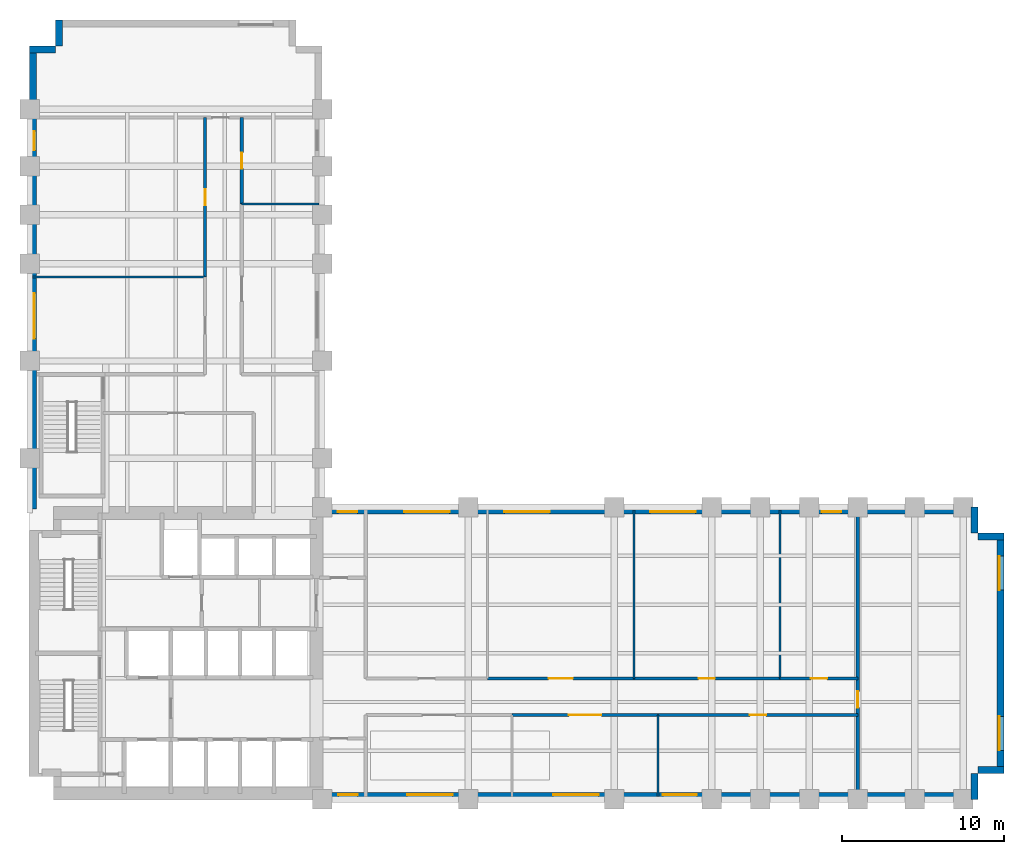
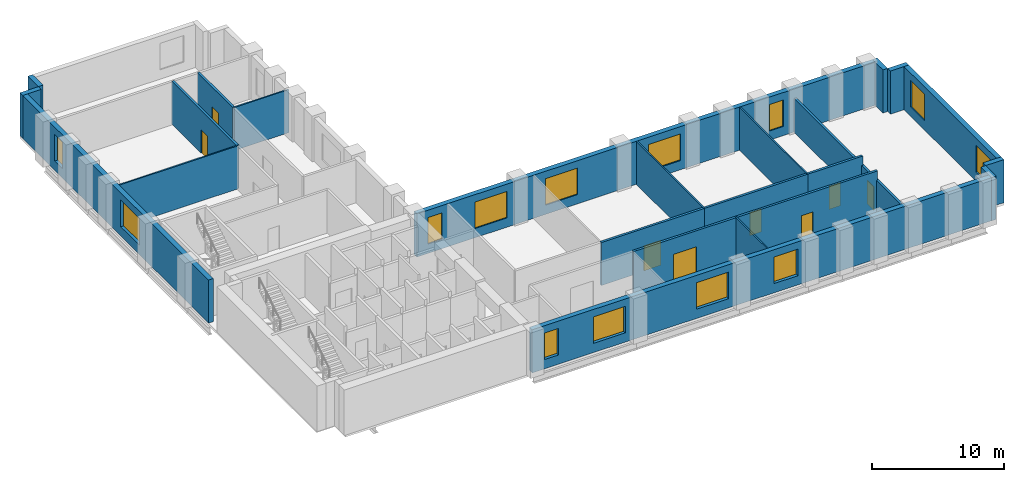
# One storey, part 5 of 7: 23 walls, 13 windows, 8 doors, 21 openings.
"""IFC4 building model written with IfcOpenShell, lengths in metres."""

from ifc_helpers import new_model, si_unit, direction, frame, frame_2d, origin, place, context, subcontext, project, spatial, rectangle, extrude, material, layer, layer_set, type_object, element, fill, save


model = new_model("IFC4")

# Units and contexts
model_context = context("Model", 3, precision=1e-05, world=origin(), true_north=direction((0.0, 1.0)))
body_context = subcontext(model_context, "Body", "Model", "MODEL_VIEW")
ifc_project = project(units=[si_unit("LENGTHUNIT", "METRE"), si_unit("AREAUNIT", "SQUARE_METRE"), si_unit("VOLUMEUNIT", "CUBIC_METRE"), si_unit("PLANEANGLEUNIT", "RADIAN"), si_unit("MASSUNIT", "GRAM", prefix="KILO")], contexts=[model_context])

# Site, building, storey
site_placement = place(None, origin())
site = spatial("IfcSite", under=ifc_project, at=site_placement, CompositionType="ELEMENT")
building_placement = place(site_placement, origin())
building = spatial("IfcBuilding", under=site, at=building_placement, Name="Mawjdan Bourse Tower", CompositionType="ELEMENT")
storey_placement = place(building_placement, frame((0.0, 0.0, 34.199951171875)))
storey = spatial("IfcBuildingStorey", under=building, at=storey_placement, Name="L07", CompositionType="ELEMENT", Elevation=34.199951171875)

# Wall, openings, windows
ifc_material_1 = material(Name="Brick Masonry Buff", Category="masonry")
ifc_layer_1 = layer(ifc_material_1, 0.419921875)
ifc_layer_set_1 = layer_set([ifc_layer_1], Name="Brick Masonry Buff")
wall_type_1 = type_object("IfcWallType", Name="WL-BRK-BUFF-420", PredefinedType="STANDARD", material=ifc_layer_set_1)
wall_1_placement = place(storey_placement, frame((23.89990234375, 3.2099609375, 0.0), z_axis=(0.0, 0.0, 1.0), x_axis=(1.0, 0.0, 0.0)))
wall_1 = element("IfcWall", 1, at=wall_1_placement, inside=storey, type_object=wall_type_1, Name="L07 Exterior Brick Wall 1", PredefinedType="STANDARD", context=body_context, shape_type="SweptSolid", body=[
    extrude(rectangle(XDim=40.5, YDim=0.419921875, at=frame_2d((20.25, 0.0))), origin(), (0.0, 0.0, 1.0), 3.97998046875),
])
opening_1_placement = place(wall_1_placement, frame((1.10009765625, 0.0, 0.85009765625)))
opening_1 = element("IfcOpeningElement", 2, at=opening_1_placement, cuts=wall_1, Name="Opening W-L07-07", PredefinedType="OPENING", context=body_context, shape_type="SweptSolid", body=[
    extrude(rectangle(XDim=1.199951171875, YDim=2.449951171875, at=frame_2d((0.60009765625, 1.22509765625))), frame((0.0, 0.219970703125, 0.0), z_axis=(0.0, -1.0, 0.0), x_axis=(1.0, 0.0, 0.0)), (0.0, 0.0, 1.0), 0.43994140625),
])
opening_2_placement = place(wall_1_placement, frame((5.336181640625, 0.0, 0.85009765625)))
opening_2 = element("IfcOpeningElement", 3, at=opening_2_placement, cuts=wall_1, Name="Opening W-L07-09", PredefinedType="OPENING", context=body_context, shape_type="SweptSolid", body=[
    extrude(rectangle(XDim=2.800048828125, YDim=2.449951171875, at=frame_2d((1.39990234375, 1.22509765625))), frame((0.0, 0.219970703125, 0.0), z_axis=(0.0, -1.0, 0.0), x_axis=(1.0, 0.0, 0.0)), (0.0, 0.0, 1.0), 0.43994140625),
])
opening_3_placement = place(wall_1_placement, frame((14.336181640625, 0.0, 0.85009765625)))
opening_3 = element("IfcOpeningElement", 4, at=opening_3_placement, cuts=wall_1, Name="Opening W-L07-10", PredefinedType="OPENING", context=body_context, shape_type="SweptSolid", body=[
    extrude(rectangle(XDim=2.800048828125, YDim=2.449951171875, at=frame_2d((1.39990234375, 1.22509765625))), frame((0.0, 0.219970703125, 0.0), z_axis=(0.0, -1.0, 0.0), x_axis=(1.0, 0.0, 0.0)), (0.0, 0.0, 1.0), 0.43994140625),
])
opening_4_placement = place(wall_1_placement, frame((21.086181640625, 0.0, 0.85009765625)))
opening_4 = element("IfcOpeningElement", 5, at=opening_4_placement, cuts=wall_1, Name="Opening W-L07-11", PredefinedType="OPENING", context=body_context, shape_type="SweptSolid", body=[
    extrude(rectangle(XDim=2.10009765625, YDim=2.449951171875, at=frame_2d((1.050048828125, 1.22509765625))), frame((0.0, 0.219970703125, 0.0), z_axis=(0.0, -1.0, 0.0), x_axis=(1.0, 0.0, 0.0)), (0.0, 0.0, 1.0), 0.43994140625),
])
ifc_material_2 = material(Name="Solar-Control Clear Double Glazing", Category="glass")
window_type_1 = type_object("IfcWindowType", Name="WN-TRD-1200", PartitioningType="SINGLE_PANEL", PredefinedType="WINDOW", material=ifc_material_2)
window_1_placement = place(opening_1_placement, origin())
window_1 = element("IfcWindow", 6, at=window_1_placement, inside=storey, type_object=window_type_1, Name="L07 Deep-Set Masonry Window W-L07-07", OverallHeight=2.449951171875, OverallWidth=1.199951171875, PartitioningType="SINGLE_PANEL", PredefinedType="WINDOW", context=body_context, shape_type="SweptSolid", body=[
    extrude(rectangle(XDim=1.199951171875, YDim=2.449951171875, at=frame_2d((0.60009765625, 1.22509765625))), frame((0.0, 0.110107421875, 0.0), z_axis=(0.0, -1.0, 0.0), x_axis=(1.0, 0.0, 0.0)), (0.0, 0.0, 1.0), 0.06005859375),
])
fill(opening_1, window_1)
window_type_2 = type_object("IfcWindowType", Name="WN-TRD-2100", PartitioningType="SINGLE_PANEL", PredefinedType="WINDOW", material=ifc_material_2)
window_2_placement = place(opening_4_placement, origin())
window_2 = element("IfcWindow", 7, at=window_2_placement, inside=storey, type_object=window_type_2, Name="L07 Deep-Set Masonry Window W-L07-11", OverallHeight=2.449951171875, OverallWidth=2.10009765625, PartitioningType="SINGLE_PANEL", PredefinedType="WINDOW", context=body_context, shape_type="SweptSolid", body=[
    extrude(rectangle(XDim=2.10009765625, YDim=2.449951171875, at=frame_2d((1.050048828125, 1.22509765625))), frame((0.0, 0.110107421875, 0.0), z_axis=(0.0, -1.0, 0.0), x_axis=(1.0, 0.0, 0.0)), (0.0, 0.0, 1.0), 0.06005859375),
])
fill(opening_4, window_2)
window_type_3 = type_object("IfcWindowType", Name="WN-TRD-2800", PartitioningType="SINGLE_PANEL", PredefinedType="WINDOW", material=ifc_material_2)
window_3_placement = place(opening_2_placement, origin())
window_3 = element("IfcWindow", 8, at=window_3_placement, inside=storey, type_object=window_type_3, Name="L07 Deep-Set Masonry Window W-L07-09", OverallHeight=2.449951171875, OverallWidth=2.800048828125, PartitioningType="SINGLE_PANEL", PredefinedType="WINDOW", context=body_context, shape_type="SweptSolid", body=[
    extrude(rectangle(XDim=2.800048828125, YDim=2.449951171875, at=frame_2d((1.39990234375, 1.22509765625))), frame((0.0, 0.110107421875, 0.0), z_axis=(0.0, -1.0, 0.0), x_axis=(1.0, 0.0, 0.0)), (0.0, 0.0, 1.0), 0.06005859375),
])
fill(opening_2, window_3)
window_4_placement = place(opening_3_placement, origin())
window_4 = element("IfcWindow", 9, at=window_4_placement, inside=storey, type_object=window_type_3, Name="L07 Deep-Set Masonry Window W-L07-10", OverallHeight=2.449951171875, OverallWidth=2.800048828125, PartitioningType="SINGLE_PANEL", PredefinedType="WINDOW", context=body_context, shape_type="SweptSolid", body=[
    extrude(rectangle(XDim=2.800048828125, YDim=2.449951171875, at=frame_2d((1.39990234375, 1.22509765625))), frame((0.0, 0.110107421875, 0.0), z_axis=(0.0, -1.0, 0.0), x_axis=(1.0, 0.0, 0.0)), (0.0, 0.0, 1.0), 0.06005859375),
])
fill(opening_3, window_4)

# Walls
for number, where, z_axis, x_axis, name in (
    (10, (64.18994140625, 3.0, 0.0), (0.0, 0.0, 1.0), (0.0, 1.0, 0.0), "L07 Exterior Brick Wall 2"),
    (11, (64.39990234375, 4.81005859375, 0.0), (0.0, 0.0, 1.0), (1.0, 0.0, 0.0), "L07 Exterior Brick Wall 3"),
):
    element("IfcWall", number, at=place(storey_placement, frame(where, z_axis=z_axis, x_axis=x_axis)), inside=storey, type_object=wall_type_1, Name=name, PredefinedType="STANDARD", context=body_context, shape_type="SweptSolid", body=[
        extrude(rectangle(XDim=1.60009765625, YDim=0.419921875, at=frame_2d((0.800048828125, 0.0))), origin(), (0.0, 0.0, 1.0), 3.97998046875),
    ])

# Wall, openings, windows
wall_2_placement = place(storey_placement, frame((65.7900390625, 4.60009765625, 0.0), z_axis=(0.0, 0.0, 1.0), x_axis=(0.0, 1.0, 0.0)))
wall_2 = element("IfcWall", 12, at=wall_2_placement, inside=storey, type_object=wall_type_1, Name="L07 Exterior Brick Wall 4", PredefinedType="STANDARD", context=body_context, shape_type="SweptSolid", body=[
    extrude(rectangle(XDim=14.7998046875, YDim=0.419921875, at=frame_2d((7.39990234375, 0.0))), origin(), (0.0, 0.0, 1.0), 3.97998046875),
])
opening_5_placement = place(wall_2_placement, frame((1.416748046875, 0.0, 0.85009765625)))
opening_5 = element("IfcOpeningElement", 13, at=opening_5_placement, cuts=wall_2, Name="Opening W-L07-01", PredefinedType="OPENING", context=body_context, shape_type="SweptSolid", body=[
    extrude(rectangle(XDim=2.10009765625, YDim=2.449951171875, at=frame_2d((1.050048828125, 1.22509765625))), frame((0.0, 0.219970703125, 0.0), z_axis=(0.0, -1.0, 0.0), x_axis=(1.0, 0.0, 0.0)), (0.0, 0.0, 1.0), 0.43994140625),
])
opening_6_placement = place(wall_2_placement, frame((11.283203125, 0.0, 0.85009765625)))
opening_6 = element("IfcOpeningElement", 14, at=opening_6_placement, cuts=wall_2, Name="Opening W-L07-02", PredefinedType="OPENING", context=body_context, shape_type="SweptSolid", body=[
    extrude(rectangle(XDim=2.10009765625, YDim=2.449951171875, at=frame_2d((1.050048828125, 1.22509765625))), frame((0.0, 0.219970703125, 0.0), z_axis=(0.0, -1.0, 0.0), x_axis=(1.0, 0.0, 0.0)), (0.0, 0.0, 1.0), 0.43994140625),
])
window_5_placement = place(opening_5_placement, origin())
window_5 = element("IfcWindow", 15, at=window_5_placement, inside=storey, type_object=window_type_2, Name="L07 Deep-Set Masonry Window W-L07-01", OverallHeight=2.449951171875, OverallWidth=2.10009765625, PartitioningType="SINGLE_PANEL", PredefinedType="WINDOW", context=body_context, shape_type="SweptSolid", body=[
    extrude(rectangle(XDim=2.10009765625, YDim=2.449951171875, at=frame_2d((1.050048828125, 1.22509765625))), frame((0.0, 0.110107421875, 0.0), z_axis=(0.0, -1.0, 0.0), x_axis=(1.0, 0.0, 0.0)), (0.0, 0.0, 1.0), 0.06005859375),
])
fill(opening_5, window_5)
window_6_placement = place(opening_6_placement, origin())
window_6 = element("IfcWindow", 16, at=window_6_placement, inside=storey, type_object=window_type_2, Name="L07 Deep-Set Masonry Window W-L07-02", OverallHeight=2.449951171875, OverallWidth=2.10009765625, PartitioningType="SINGLE_PANEL", PredefinedType="WINDOW", context=body_context, shape_type="SweptSolid", body=[
    extrude(rectangle(XDim=2.10009765625, YDim=2.449951171875, at=frame_2d((1.050048828125, 1.22509765625))), frame((0.0, 0.110107421875, 0.0), z_axis=(0.0, -1.0, 0.0), x_axis=(1.0, 0.0, 0.0)), (0.0, 0.0, 1.0), 0.06005859375),
])
fill(opening_6, window_6)

# Walls
for number, where, z_axis, x_axis, name in (
    (17, (66.0, 19.18994140625, 0.0), (0.0, 0.0, 1.0), (-1.0, 0.0, 0.0), "L07 Exterior Brick Wall 5"),
    (18, (64.18994140625, 19.39990234375, 0.0), (0.0, 0.0, 1.0), (0.0, 1.0, 0.0), "L07 Exterior Brick Wall 6"),
):
    element("IfcWall", number, at=place(storey_placement, frame(where, z_axis=z_axis, x_axis=x_axis)), inside=storey, type_object=wall_type_1, Name=name, PredefinedType="STANDARD", context=body_context, shape_type="SweptSolid", body=[
        extrude(rectangle(XDim=1.60009765625, YDim=0.419921875, at=frame_2d((0.800048828125, 0.0))), origin(), (0.0, 0.0, 1.0), 3.97998046875),
    ])

# Wall, openings, windows
wall_3_placement = place(storey_placement, frame((64.39990234375, 20.7900390625, 0.0), z_axis=(0.0, 0.0, 1.0), x_axis=(-1.0, 0.0, 0.0)))
wall_3 = element("IfcWall", 19, at=wall_3_placement, inside=storey, type_object=wall_type_1, Name="L07 Exterior Brick Wall 7", PredefinedType="STANDARD", context=body_context, shape_type="SweptSolid", body=[
    extrude(rectangle(XDim=40.39990234375, YDim=0.419921875, at=frame_2d((20.199951171875, 0.0))), origin(), (0.0, 0.0, 1.0), 3.97998046875),
])
opening_7_placement = place(wall_3_placement, frame((26.375, 0.0, 0.85009765625)))
opening_7 = element("IfcOpeningElement", 20, at=opening_7_placement, cuts=wall_3, Name="Opening W-L07-03", PredefinedType="OPENING", context=body_context, shape_type="SweptSolid", body=[
    extrude(rectangle(XDim=2.800048828125, YDim=2.449951171875, at=frame_2d((1.39990234375, 1.22509765625))), frame((0.0, 0.219970703125, 0.0), z_axis=(0.0, -1.0, 0.0), x_axis=(1.0, 0.0, 0.0)), (0.0, 0.0, 1.0), 0.43994140625),
])
opening_8_placement = place(wall_3_placement, frame((38.22216796875, 0.0, 0.85009765625)))
opening_8 = element("IfcOpeningElement", 21, at=opening_8_placement, cuts=wall_3, Name="Opening W-L07-08", PredefinedType="OPENING", context=body_context, shape_type="SweptSolid", body=[
    extrude(rectangle(XDim=1.199951171875, YDim=2.449951171875, at=frame_2d((0.60009765625, 1.22509765625))), frame((0.0, 0.219970703125, 0.0), z_axis=(0.0, -1.0, 0.0), x_axis=(1.0, 0.0, 0.0)), (0.0, 0.0, 1.0), 0.43994140625),
])
opening_9_placement = place(wall_3_placement, frame((32.5361328125, 0.0, 0.85009765625)))
opening_9 = element("IfcOpeningElement", 22, at=opening_9_placement, cuts=wall_3, Name="Opening W-L07-12", PredefinedType="OPENING", context=body_context, shape_type="SweptSolid", body=[
    extrude(rectangle(XDim=2.800048828125, YDim=2.449951171875, at=frame_2d((1.39990234375, 1.22509765625))), frame((0.0, 0.219970703125, 0.0), z_axis=(0.0, -1.0, 0.0), x_axis=(1.0, 0.0, 0.0)), (0.0, 0.0, 1.0), 0.43994140625),
])
opening_10_placement = place(wall_3_placement, frame((17.38623046875, 0.0, 0.85009765625)))
opening_10 = element("IfcOpeningElement", 23, at=opening_10_placement, cuts=wall_3, Name="Opening W-L07-13", PredefinedType="OPENING", context=body_context, shape_type="SweptSolid", body=[
    extrude(rectangle(XDim=2.800048828125, YDim=2.449951171875, at=frame_2d((1.39990234375, 1.22509765625))), frame((0.0, 0.219970703125, 0.0), z_axis=(0.0, -1.0, 0.0), x_axis=(1.0, 0.0, 0.0)), (0.0, 0.0, 1.0), 0.43994140625),
])
opening_11_placement = place(wall_3_placement, frame((8.436279296875, 0.0, 0.85009765625)))
opening_11 = element("IfcOpeningElement", 24, at=opening_11_placement, cuts=wall_3, Name="Opening W-L07-14", PredefinedType="OPENING", context=body_context, shape_type="SweptSolid", body=[
    extrude(rectangle(XDim=1.199951171875, YDim=2.449951171875, at=frame_2d((0.60009765625, 1.22509765625))), frame((0.0, 0.219970703125, 0.0), z_axis=(0.0, -1.0, 0.0), x_axis=(1.0, 0.0, 0.0)), (0.0, 0.0, 1.0), 0.43994140625),
])
window_7_placement = place(opening_8_placement, origin())
window_7 = element("IfcWindow", 25, at=window_7_placement, inside=storey, type_object=window_type_1, Name="L07 Deep-Set Masonry Window W-L07-08", OverallHeight=2.449951171875, OverallWidth=1.199951171875, PartitioningType="SINGLE_PANEL", PredefinedType="WINDOW", context=body_context, shape_type="SweptSolid", body=[
    extrude(rectangle(XDim=1.199951171875, YDim=2.449951171875, at=frame_2d((0.60009765625, 1.22509765625))), frame((0.0, 0.110107421875, 0.0), z_axis=(0.0, -1.0, 0.0), x_axis=(1.0, 0.0, 0.0)), (0.0, 0.0, 1.0), 0.06005859375),
])
fill(opening_8, window_7)
window_8_placement = place(opening_11_placement, origin())
window_8 = element("IfcWindow", 26, at=window_8_placement, inside=storey, type_object=window_type_1, Name="L07 Deep-Set Masonry Window W-L07-14", OverallHeight=2.449951171875, OverallWidth=1.199951171875, PartitioningType="SINGLE_PANEL", PredefinedType="WINDOW", context=body_context, shape_type="SweptSolid", body=[
    extrude(rectangle(XDim=1.199951171875, YDim=2.449951171875, at=frame_2d((0.60009765625, 1.22509765625))), frame((0.0, 0.110107421875, 0.0), z_axis=(0.0, -1.0, 0.0), x_axis=(1.0, 0.0, 0.0)), (0.0, 0.0, 1.0), 0.06005859375),
])
fill(opening_11, window_8)
window_9_placement = place(opening_7_placement, origin())
window_9 = element("IfcWindow", 27, at=window_9_placement, inside=storey, type_object=window_type_3, Name="L07 Deep-Set Masonry Window W-L07-03", OverallHeight=2.449951171875, OverallWidth=2.800048828125, PartitioningType="SINGLE_PANEL", PredefinedType="WINDOW", context=body_context, shape_type="SweptSolid", body=[
    extrude(rectangle(XDim=2.800048828125, YDim=2.449951171875, at=frame_2d((1.39990234375, 1.22509765625))), frame((0.0, 0.110107421875, 0.0), z_axis=(0.0, -1.0, 0.0), x_axis=(1.0, 0.0, 0.0)), (0.0, 0.0, 1.0), 0.06005859375),
])
fill(opening_7, window_9)
window_10_placement = place(opening_9_placement, origin())
window_10 = element("IfcWindow", 28, at=window_10_placement, inside=storey, type_object=window_type_3, Name="L07 Deep-Set Masonry Window W-L07-12", OverallHeight=2.449951171875, OverallWidth=2.800048828125, PartitioningType="SINGLE_PANEL", PredefinedType="WINDOW", context=body_context, shape_type="SweptSolid", body=[
    extrude(rectangle(XDim=2.800048828125, YDim=2.449951171875, at=frame_2d((1.39990234375, 1.22509765625))), frame((0.0, 0.110107421875, 0.0), z_axis=(0.0, -1.0, 0.0), x_axis=(1.0, 0.0, 0.0)), (0.0, 0.0, 1.0), 0.06005859375),
])
fill(opening_9, window_10)
window_11_placement = place(opening_10_placement, origin())
window_11 = element("IfcWindow", 29, at=window_11_placement, inside=storey, type_object=window_type_3, Name="L07 Deep-Set Masonry Window W-L07-13", OverallHeight=2.449951171875, OverallWidth=2.800048828125, PartitioningType="SINGLE_PANEL", PredefinedType="WINDOW", context=body_context, shape_type="SweptSolid", body=[
    extrude(rectangle(XDim=2.800048828125, YDim=2.449951171875, at=frame_2d((1.39990234375, 1.22509765625))), frame((0.0, 0.110107421875, 0.0), z_axis=(0.0, -1.0, 0.0), x_axis=(1.0, 0.0, 0.0)), (0.0, 0.0, 1.0), 0.06005859375),
])
fill(opening_10, window_11)

# Walls
for number, where, z_axis, x_axis, name in (
    (30, (7.81005859375, 51.0, 0.0), (0.0, 0.0, 1.0), (0.0, -1.0, 0.0), "L07 Exterior Brick Wall 12"),
    (31, (7.60009765625, 49.18994140625, 0.0), (0.0, 0.0, 1.0), (-1.0, 0.0, 0.0), "L07 Exterior Brick Wall 13"),
):
    element("IfcWall", number, at=place(storey_placement, frame(where, z_axis=z_axis, x_axis=x_axis)), inside=storey, type_object=wall_type_1, Name=name, PredefinedType="STANDARD", context=body_context, shape_type="SweptSolid", body=[
        extrude(rectangle(XDim=1.60009765625, YDim=0.419921875, at=frame_2d((0.800048828125, 0.0))), origin(), (0.0, 0.0, 1.0), 3.97998046875),
    ])

# Wall, openings, windows
wall_4_placement = place(storey_placement, frame((6.2099609375, 49.39990234375, 0.0), z_axis=(0.0, 0.0, 1.0), x_axis=(0.0, -1.0, 0.0)))
wall_4 = element("IfcWall", 32, at=wall_4_placement, inside=storey, type_object=wall_type_1, Name="L07 Exterior Brick Wall 14", PredefinedType="STANDARD", context=body_context, shape_type="SweptSolid", body=[
    extrude(rectangle(XDim=28.5, YDim=0.419921875, at=frame_2d((14.25, 0.0))), origin(), (0.0, 0.0, 1.0), 3.97998046875),
])
opening_12_placement = place(wall_4_placement, frame((15.22509765625, 0.0, 0.85009765625)))
opening_12 = element("IfcOpeningElement", 33, at=opening_12_placement, cuts=wall_4, Name="Opening W-L07-06", PredefinedType="OPENING", context=body_context, shape_type="SweptSolid", body=[
    extrude(rectangle(XDim=2.800048828125, YDim=2.449951171875, at=frame_2d((1.39990234375, 1.22509765625))), frame((0.0, 0.219970703125, 0.0), z_axis=(0.0, -1.0, 0.0), x_axis=(1.0, 0.0, 0.0)), (0.0, 0.0, 1.0), 0.43994140625),
])
opening_13_placement = place(wall_4_placement, frame((5.236083984375, 0.0, 0.85009765625)))
opening_13 = element("IfcOpeningElement", 34, at=opening_13_placement, cuts=wall_4, Name="Opening W-L07-15", PredefinedType="OPENING", context=body_context, shape_type="SweptSolid", body=[
    extrude(rectangle(XDim=1.199951171875, YDim=2.449951171875, at=frame_2d((0.60009765625, 1.22509765625))), frame((0.0, 0.219970703125, 0.0), z_axis=(0.0, -1.0, 0.0), x_axis=(1.0, 0.0, 0.0)), (0.0, 0.0, 1.0), 0.43994140625),
])
window_12_placement = place(opening_13_placement, origin())
window_12 = element("IfcWindow", 35, at=window_12_placement, inside=storey, type_object=window_type_1, Name="L07 Deep-Set Masonry Window W-L07-15", OverallHeight=2.449951171875, OverallWidth=1.199951171875, PartitioningType="SINGLE_PANEL", PredefinedType="WINDOW", context=body_context, shape_type="SweptSolid", body=[
    extrude(rectangle(XDim=1.199951171875, YDim=2.449951171875, at=frame_2d((0.60009765625, 1.22509765625))), frame((0.0, 0.110107421875, 0.0), z_axis=(0.0, -1.0, 0.0), x_axis=(1.0, 0.0, 0.0)), (0.0, 0.0, 1.0), 0.06005859375),
])
fill(opening_13, window_12)
window_13_placement = place(opening_12_placement, origin())
window_13 = element("IfcWindow", 36, at=window_13_placement, inside=storey, type_object=window_type_3, Name="L07 Deep-Set Masonry Window W-L07-06", OverallHeight=2.449951171875, OverallWidth=2.800048828125, PartitioningType="SINGLE_PANEL", PredefinedType="WINDOW", context=body_context, shape_type="SweptSolid", body=[
    extrude(rectangle(XDim=2.800048828125, YDim=2.449951171875, at=frame_2d((1.39990234375, 1.22509765625))), frame((0.0, 0.110107421875, 0.0), z_axis=(0.0, -1.0, 0.0), x_axis=(1.0, 0.0, 0.0)), (0.0, 0.0, 1.0), 0.06005859375),
])
fill(opening_12, window_13)

# Wall, opening, door
ifc_material_3 = material(Name="Gypsum Fireboard Assembly")
ifc_layer_2 = layer(ifc_material_3, 0.199951171875)
ifc_layer_set_2 = layer_set([ifc_layer_2], Name="Gypsum Fireboard Assembly")
wall_type_2 = type_object("IfcWallType", Name="WL-CMP-200", PredefinedType="PARTITIONING", material=ifc_layer_set_2)
wall_5_placement = place(storey_placement, frame((35.699951171875, 8.199951171875, 0.0), z_axis=(0.0, 0.0, 1.0), x_axis=(1.0, 0.0, 0.0)))
wall_5 = element("IfcWall", 37, at=wall_5_placement, inside=storey, type_object=wall_type_2, Name="L07 Derivatives Dealing Hall Corridor Wall", PredefinedType="PARTITIONING", context=body_context, shape_type="SweptSolid", body=[
    extrude(rectangle(XDim=9.0, YDim=0.199951171875, at=frame_2d((4.5, 0.0))), origin(), (0.0, 0.0, 1.0), 3.969970703125),
])
opening_14_placement = place(wall_5_placement, frame((3.5, 0.0, 0.0)))
opening_14 = element("IfcOpeningElement", 38, at=opening_14_placement, cuts=wall_5, Name="Opening D-L07-20", PredefinedType="OPENING", context=body_context, shape_type="SweptSolid", body=[
    extrude(rectangle(XDim=2.0, YDim=2.5, at=frame_2d((1.0, 1.25))), frame((0.0, 0.10986328125, 0.0), z_axis=(0.0, -1.0, 0.0), x_axis=(1.0, 0.0, 0.0)), (0.0, 0.0, 1.0), 0.219970703125),
])
ifc_material_4 = material(Name="Acoustic Veneered Timber", Category="wood")
door_type_1 = type_object("IfcDoorType", Name="DR-ASM-2000", OperationType="DOUBLE_DOOR_SINGLE_SWING", PredefinedType="DOOR", material=ifc_material_4)
door_1_placement = place(opening_14_placement, origin())
door_1 = element("IfcDoor", 39, at=door_1_placement, inside=storey, type_object=door_type_1, Name="L07 Derivatives Dealing Hall Door D-L07-20", OperationType="DOUBLE_DOOR_SINGLE_SWING", OverallHeight=2.5, OverallWidth=2.0, PredefinedType="DOOR", context=body_context, shape_type="SweptSolid", body=[
    extrude(rectangle(XDim=2.0, YDim=2.5, at=frame_2d((1.0, 1.25))), frame((0.0, 0.02490234375, 0.0), z_axis=(0.0, -1.0, 0.0), x_axis=(1.0, 0.0, 0.0)), (0.0, 0.0, 1.0), 0.050048828125),
])
fill(opening_14, door_1)

wall_6_placement = place(storey_placement, frame((44.699951171875, 8.199951171875, 0.0), z_axis=(0.0, 0.0, 1.0), x_axis=(1.0, 0.0, 0.0)))
wall_6 = element("IfcWall", 40, at=wall_6_placement, inside=storey, type_object=wall_type_2, Name="L07 Executive Office Corridor Wall", PredefinedType="PARTITIONING", context=body_context, shape_type="SweptSolid", body=[
    extrude(rectangle(XDim=12.300048828125, YDim=0.199951171875, at=frame_2d((6.14990234375, 0.0))), origin(), (0.0, 0.0, 1.0), 3.969970703125),
])
opening_15_placement = place(wall_6_placement, frame((5.64990234375, 0.0, 0.0)))
opening_15 = element("IfcOpeningElement", 41, at=opening_15_placement, cuts=wall_6, Name="Opening D-L07-21", PredefinedType="OPENING", context=body_context, shape_type="SweptSolid", body=[
    extrude(rectangle(XDim=1.0, YDim=2.14990234375, at=frame_2d((0.5, 1.074951171875))), frame((0.0, 0.10986328125, 0.0), z_axis=(0.0, -1.0, 0.0), x_axis=(1.0, 0.0, 0.0)), (0.0, 0.0, 1.0), 0.219970703125),
])
ifc_material_5 = material(Name="Hardwood Acoustic Leaf", Category="wood")
door_type_2 = type_object("IfcDoorType", Name="DR-OFC-1000", OperationType="NOTDEFINED", PredefinedType="DOOR", material=ifc_material_5)
door_2_placement = place(opening_15_placement, origin())
door_2 = element("IfcDoor", 42, at=door_2_placement, inside=storey, type_object=door_type_2, Name="L07 Executive Office Door D-L07-21", OperationType="SINGLE_SWING_LEFT", OverallHeight=2.14990234375, OverallWidth=1.0, PredefinedType="DOOR", context=body_context, shape_type="SweptSolid", body=[
    extrude(rectangle(XDim=1.0, YDim=2.14990234375, at=frame_2d((0.5, 1.074951171875))), frame((0.0, 0.02490234375, 0.0), z_axis=(0.0, -1.0, 0.0), x_axis=(1.0, 0.0, 0.0)), (0.0, 0.0, 1.0), 0.050048828125),
])
fill(opening_15, door_2)

wall_7_placement = place(storey_placement, frame((34.199951171875, 10.449951171875, 0.0), z_axis=(0.0, 0.0, 1.0), x_axis=(1.0, 0.0, 0.0)))
wall_7 = element("IfcWall", 43, at=wall_7_placement, inside=storey, type_object=wall_type_2, Name="L07 Conference Room Corridor Wall", PredefinedType="PARTITIONING", context=body_context, shape_type="SweptSolid", body=[
    extrude(rectangle(XDim=9.0, YDim=0.199951171875, at=frame_2d((4.5, 0.0))), origin(), (0.0, 0.0, 1.0), 3.969970703125),
])
opening_16_placement = place(wall_7_placement, frame((3.75, 0.0, 0.0)))
opening_16 = element("IfcOpeningElement", 44, at=opening_16_placement, cuts=wall_7, Name="Opening D-L07-23", PredefinedType="OPENING", context=body_context, shape_type="SweptSolid", body=[
    extrude(rectangle(XDim=1.5, YDim=2.300048828125, at=frame_2d((0.75, 1.14990234375))), frame((0.0, 0.10986328125, 0.0), z_axis=(0.0, -1.0, 0.0), x_axis=(1.0, 0.0, 0.0)), (0.0, 0.0, 1.0), 0.219970703125),
])
ifc_material_6 = material(Name="Acoustic Glazed Timber", Category="wood")
door_type_3 = type_object("IfcDoorType", Name="DR-CNF-1500", OperationType="DOUBLE_DOOR_SINGLE_SWING", PredefinedType="DOOR", material=ifc_material_6)
door_3_placement = place(opening_16_placement, origin())
door_3 = element("IfcDoor", 45, at=door_3_placement, inside=storey, type_object=door_type_3, Name="L07 Conference Room Door D-L07-23", OperationType="DOUBLE_DOOR_SINGLE_SWING", OverallHeight=2.300048828125, OverallWidth=1.5, PredefinedType="DOOR", context=body_context, shape_type="SweptSolid", body=[
    extrude(rectangle(XDim=1.5, YDim=2.300048828125, at=frame_2d((0.75, 1.14990234375))), frame((0.0, 0.02490234375, 0.0), z_axis=(0.0, -1.0, 0.0), x_axis=(1.0, 0.0, 0.0)), (0.0, 0.0, 1.0), 0.050048828125),
])
fill(opening_16, door_3)

wall_8_placement = place(storey_placement, frame((43.199951171875, 10.449951171875, 0.0), z_axis=(0.0, 0.0, 1.0), x_axis=(1.0, 0.0, 0.0)))
wall_8 = element("IfcWall", 46, at=wall_8_placement, inside=storey, type_object=wall_type_2, Name="L07 Client Meeting Room Corridor Wall", PredefinedType="PARTITIONING", context=body_context, shape_type="SweptSolid", body=[
    extrude(rectangle(XDim=9.0, YDim=0.199951171875, at=frame_2d((4.5, 0.0))), origin(), (0.0, 0.0, 1.0), 3.969970703125),
])
opening_17_placement = place(wall_8_placement, frame((4.0, 0.0, 0.0)))
opening_17 = element("IfcOpeningElement", 47, at=opening_17_placement, cuts=wall_8, Name="Opening D-L07-24", PredefinedType="OPENING", context=body_context, shape_type="SweptSolid", body=[
    extrude(rectangle(XDim=1.0, YDim=2.14990234375, at=frame_2d((0.5, 1.074951171875))), frame((0.0, 0.10986328125, 0.0), z_axis=(0.0, -1.0, 0.0), x_axis=(1.0, 0.0, 0.0)), (0.0, 0.0, 1.0), 0.219970703125),
])
door_4_placement = place(opening_17_placement, origin())
door_4 = element("IfcDoor", 48, at=door_4_placement, inside=storey, type_object=door_type_2, Name="L07 Client Meeting Room Door D-L07-24", OperationType="SINGLE_SWING_LEFT", OverallHeight=2.14990234375, OverallWidth=1.0, PredefinedType="DOOR", context=body_context, shape_type="SweptSolid", body=[
    extrude(rectangle(XDim=1.0, YDim=2.14990234375, at=frame_2d((0.5, 1.074951171875))), frame((0.0, 0.02490234375, 0.0), z_axis=(0.0, -1.0, 0.0), x_axis=(1.0, 0.0, 0.0)), (0.0, 0.0, 1.0), 0.050048828125),
])
fill(opening_17, door_4)

wall_9_placement = place(storey_placement, frame((52.199951171875, 10.449951171875, 0.0), z_axis=(0.0, 0.0, 1.0), x_axis=(1.0, 0.0, 0.0)))
wall_9 = element("IfcWall", 49, at=wall_9_placement, inside=storey, type_object=wall_type_2, Name="L07 Staff Tea Pantry Corridor Wall", PredefinedType="PARTITIONING", context=body_context, shape_type="SweptSolid", body=[
    extrude(rectangle(XDim=4.800048828125, YDim=0.199951171875, at=frame_2d((2.39990234375, 0.0))), origin(), (0.0, 0.0, 1.0), 3.969970703125),
])
opening_18_placement = place(wall_9_placement, frame((1.89990234375, 0.0, 0.0)))
opening_18 = element("IfcOpeningElement", 50, at=opening_18_placement, cuts=wall_9, Name="Opening D-L07-25", PredefinedType="OPENING", context=body_context, shape_type="SweptSolid", body=[
    extrude(rectangle(XDim=1.0, YDim=2.14990234375, at=frame_2d((0.5, 1.074951171875))), frame((0.0, 0.10986328125, 0.0), z_axis=(0.0, -1.0, 0.0), x_axis=(1.0, 0.0, 0.0)), (0.0, 0.0, 1.0), 0.219970703125),
])
door_5_placement = place(opening_18_placement, origin())
door_5 = element("IfcDoor", 51, at=door_5_placement, inside=storey, type_object=door_type_2, Name="L07 Staff Tea Pantry Door D-L07-25", OperationType="SINGLE_SWING_RIGHT", OverallHeight=2.14990234375, OverallWidth=1.0, PredefinedType="DOOR", context=body_context, shape_type="SweptSolid", body=[
    extrude(rectangle(XDim=1.0, YDim=2.14990234375, at=frame_2d((0.5, 1.074951171875))), frame((0.0, 0.02490234375, 0.0), z_axis=(0.0, -1.0, 0.0), x_axis=(1.0, 0.0, 0.0)), (0.0, 0.0, 1.0), 0.050048828125),
])
fill(opening_18, door_5)

wall_10_placement = place(storey_placement, frame((57.0, 3.179931640625, 0.0), z_axis=(0.0, 0.0, 1.0), x_axis=(0.0, 1.0, 0.0)))
wall_10 = element("IfcWall", 52, at=wall_10_placement, inside=storey, type_object=wall_type_2, Name="L07 East Tip Full Cross Wall", PredefinedType="PARTITIONING", context=body_context, shape_type="SweptSolid", body=[
    extrude(rectangle(XDim=17.64013671875, YDim=0.199951171875, at=frame_2d((8.820068359375, 0.0))), origin(), (0.0, 0.0, 1.0), 3.114013671875),
])
opening_19_placement = place(wall_10_placement, frame((5.47509765625, 0.0, 0.0)))
opening_19 = element("IfcOpeningElement", 53, at=opening_19_placement, cuts=wall_10, Name="Opening D-L07-26", PredefinedType="OPENING", context=body_context, shape_type="SweptSolid", body=[
    extrude(rectangle(XDim=1.0, YDim=2.14990234375, at=frame_2d((0.5, 1.074951171875))), frame((0.0, 0.10986328125, 0.0), z_axis=(0.0, -1.0, 0.0), x_axis=(1.0, 0.0, 0.0)), (0.0, 0.0, 1.0), 0.219970703125),
])
door_6_placement = place(opening_19_placement, origin())
door_6 = element("IfcDoor", 54, at=door_6_placement, inside=storey, type_object=door_type_2, Name="L07 East Tip Hall Door D-L07-26", OperationType="SINGLE_SWING_LEFT", OverallHeight=2.14990234375, OverallWidth=1.0, PredefinedType="DOOR", context=body_context, shape_type="SweptSolid", body=[
    extrude(rectangle(XDim=1.0, YDim=2.14990234375, at=frame_2d((0.5, 1.074951171875))), frame((0.0, 0.02490234375, 0.0), z_axis=(0.0, -1.0, 0.0), x_axis=(1.0, 0.0, 0.0)), (0.0, 0.0, 1.0), 0.050048828125),
])
fill(opening_19, door_6)

wall_11_placement = place(storey_placement, frame((16.800048828125, 35.179931640625, 0.0), z_axis=(0.0, 0.0, 1.0), x_axis=(0.0, 1.0, 0.0)))
wall_11 = element("IfcWall", 55, at=wall_11_placement, inside=storey, type_object=wall_type_2, Name="L07 Executive Office Corridor Wall", PredefinedType="PARTITIONING", context=body_context, shape_type="SweptSolid", body=[
    extrude(rectangle(XDim=9.820068359375, YDim=0.199951171875, at=frame_2d((4.91015625, 0.0))), origin(), (0.0, 0.0, 1.0), 3.969970703125),
])
opening_20_placement = place(wall_11_placement, frame((4.409912109375, 0.0, 0.0)))
opening_20 = element("IfcOpeningElement", 56, at=opening_20_placement, cuts=wall_11, Name="Opening D-L07-29", PredefinedType="OPENING", context=body_context, shape_type="SweptSolid", body=[
    extrude(rectangle(XDim=1.0, YDim=2.14990234375, at=frame_2d((0.5, 1.074951171875))), frame((0.0, 0.10986328125, 0.0), z_axis=(0.0, -1.0, 0.0), x_axis=(1.0, 0.0, 0.0)), (0.0, 0.0, 1.0), 0.219970703125),
])
door_7_placement = place(opening_20_placement, origin())
door_7 = element("IfcDoor", 57, at=door_7_placement, inside=storey, type_object=door_type_2, Name="L07 Executive Office Door D-L07-29", OperationType="SINGLE_SWING_RIGHT", OverallHeight=2.14990234375, OverallWidth=1.0, PredefinedType="DOOR", context=body_context, shape_type="SweptSolid", body=[
    extrude(rectangle(XDim=1.0, YDim=2.14990234375, at=frame_2d((0.5, 1.074951171875))), frame((0.0, 0.02490234375, 0.0), z_axis=(0.0, -1.0, 0.0), x_axis=(1.0, 0.0, 0.0)), (0.0, 0.0, 1.0), 0.050048828125),
])
fill(opening_20, door_7)

wall_12_placement = place(storey_placement, frame((19.050048828125, 39.679931640625, 0.0), z_axis=(0.0, 0.0, 1.0), x_axis=(0.0, 1.0, 0.0)))
wall_12 = element("IfcWall", 58, at=wall_12_placement, inside=storey, type_object=wall_type_2, Name="L07 Client Meeting Room Corridor Wall", PredefinedType="PARTITIONING", context=body_context, shape_type="SweptSolid", body=[
    extrude(rectangle(XDim=5.320068359375, YDim=0.199951171875, at=frame_2d((2.66015625, 0.0))), origin(), (0.0, 0.0, 1.0), 3.969970703125),
])
opening_21_placement = place(wall_12_placement, frame((2.159912109375, 0.0, 0.0)))
opening_21 = element("IfcOpeningElement", 59, at=opening_21_placement, cuts=wall_12, Name="Opening D-L07-31", PredefinedType="OPENING", context=body_context, shape_type="SweptSolid", body=[
    extrude(rectangle(XDim=1.0, YDim=2.14990234375, at=frame_2d((0.5, 1.074951171875))), frame((0.0, 0.10986328125, 0.0), z_axis=(0.0, -1.0, 0.0), x_axis=(1.0, 0.0, 0.0)), (0.0, 0.0, 1.0), 0.219970703125),
])
door_8_placement = place(opening_21_placement, origin())
door_8 = element("IfcDoor", 60, at=door_8_placement, inside=storey, type_object=door_type_2, Name="L07 Client Meeting Room Door D-L07-31", OperationType="SINGLE_SWING_LEFT", OverallHeight=2.14990234375, OverallWidth=1.0, PredefinedType="DOOR", context=body_context, shape_type="SweptSolid", body=[
    extrude(rectangle(XDim=1.0, YDim=2.14990234375, at=frame_2d((0.5, 1.074951171875))), frame((0.0, 0.02490234375, 0.0), z_axis=(0.0, -1.0, 0.0), x_axis=(1.0, 0.0, 0.0)), (0.0, 0.0, 1.0), 0.050048828125),
])
fill(opening_21, door_8)

# Walls
ifc_material_7 = material(Name="Gypsum Partition")
ifc_layer_3 = layer(ifc_material_7, 0.125)
ifc_layer_set_3 = layer_set([ifc_layer_3], Name="Gypsum Partition")
wall_type_3 = type_object("IfcWallType", Name="WL-PRT-125", PredefinedType="PARTITIONING", material=ifc_layer_set_3)
wall_13_placement = place(storey_placement, frame((44.699951171875, 3.179931640625, 0.0), z_axis=(0.0, 0.0, 1.0), x_axis=(0.0, 1.0, 0.0)))
element("IfcWall", 61, at=wall_13_placement, inside=storey, type_object=wall_type_3, Name="L07 Executive Office Partition", PredefinedType="PARTITIONING", context=body_context, shape_type="SweptSolid", body=[
    extrude(rectangle(XDim=5.02001953125, YDim=0.125, at=frame_2d((2.510009765625, 0.0))), origin(), (0.0, 0.0, 1.0), 3.969970703125),
])
for number, where, z_axis, x_axis, name in (
    (62, (43.199951171875, 10.449951171875, 0.0), (0.0, 0.0, 1.0), (0.0, 1.0, 0.0), "L07 Client Meeting Room Partition"),
    (63, (52.199951171875, 10.449951171875, 0.0), (0.0, 0.0, 1.0), (0.0, 1.0, 0.0), "L07 Staff Tea Pantry Partition"),
):
    element("IfcWall", number, at=place(storey_placement, frame(where, z_axis=z_axis, x_axis=x_axis)), inside=storey, type_object=wall_type_3, Name=name, PredefinedType="PARTITIONING", context=body_context, shape_type="SweptSolid", body=[
        extrude(rectangle(XDim=10.3701171875, YDim=0.125, at=frame_2d((5.18505859375, 0.0))), origin(), (0.0, 0.0, 1.0), 3.969970703125),
    ])
wall_14_placement = place(storey_placement, frame((6.179931640625, 35.179931640625, 0.0), z_axis=(0.0, 0.0, 1.0), x_axis=(1.0, 0.0, 0.0)))
element("IfcWall", 64, at=wall_14_placement, inside=storey, type_object=wall_type_3, Name="L07 Executive Office Partition", PredefinedType="PARTITIONING", context=body_context, shape_type="SweptSolid", body=[
    extrude(rectangle(XDim=10.6201171875, YDim=0.125, at=frame_2d((5.31005859375, 0.0))), origin(), (0.0, 0.0, 1.0), 3.969970703125),
])
wall_15_placement = place(storey_placement, frame((19.050048828125, 39.679931640625, 0.0), z_axis=(0.0, 0.0, 1.0), x_axis=(1.0, 0.0, 0.0)))
element("IfcWall", 65, at=wall_15_placement, inside=storey, type_object=wall_type_3, Name="L07 Client Meeting Room Partition", PredefinedType="PARTITIONING", context=body_context, shape_type="SweptSolid", body=[
    extrude(rectangle(XDim=4.77001953125, YDim=0.125, at=frame_2d((2.385009765625, 0.0))), origin(), (0.0, 0.0, 1.0), 3.969970703125),
])

save(model, "model.ifc")
